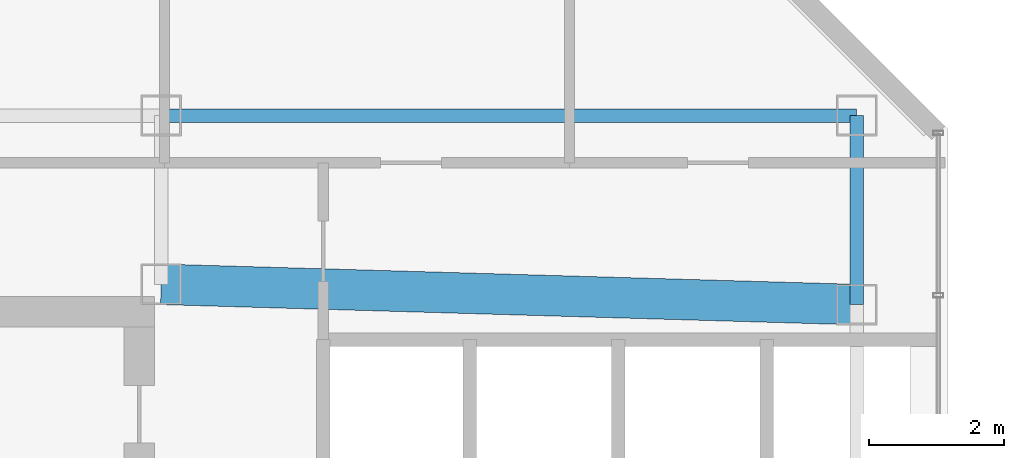
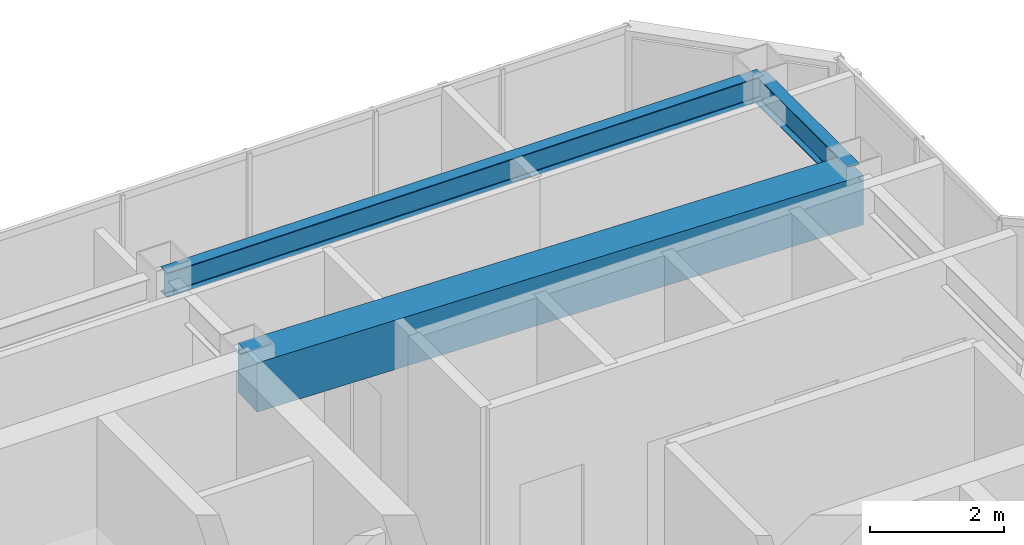
# One storey, part 18 of 30: 3 beams.
"""IFC4 building model written with IfcOpenShell, lengths in metres."""

import ifcopenshell
import ifcopenshell.guid

model = None  # the IFC model being written
_history = None  # IfcOwnerHistory: only IFC2X3 demands one
_inside = {}  # id of a spatial element -> (the spatial element, [elements in it])
_under = {}  # id of a project, library or spatial element -> (it, [spatial elements below it])
_declared = {}  # id of a project -> (the project, [libraries it declares])
_typed = {}  # id of a type object -> (the type object, [elements of that type])
_made_of = {}  # id of a material, layer set ... -> (it, [elements and type objects made of it])


def new_model(schema):
    """Start an empty IFC model of exactly this schema.

    Asked for "IFC4X3", IfcOpenShell would pick the latest addendum, in which some entities
    have other attributes; the version numbers below select the first issue.
    IFC2X3 requires an IfcOwnerHistory on every rooted entity: one is made here for all.
    """
    global model, _history
    if schema == "IFC4X3":
        model = ifcopenshell.file(schema_version=(4, 3, 0, 0))
    else:
        model = ifcopenshell.file(schema=schema)
    _inside.clear()
    _under.clear()
    _declared.clear()
    _typed.clear()
    _made_of.clear()
    _history = None
    if model.schema == "IFC2X3":
        org = make("IfcOrganization", Name="unknown")
        user = make(
            "IfcPersonAndOrganization",
            ThePerson=make("IfcPerson", FamilyName="unknown"),
            TheOrganization=org,
        )
        app = make(
            "IfcApplication",
            ApplicationDeveloper=org,
            Version="unknown",
            ApplicationFullName="unknown",
            ApplicationIdentifier="unknown",
        )
        _history = make(
            "IfcOwnerHistory",
            OwningUser=user,
            OwningApplication=app,
            ChangeAction="ADDED",
            CreationDate=0,
        )
    return model


def make(cls, **values):
    """One entity of the class cls with the attributes given. An attribute that is None is left unset."""
    return model.create_entity(
        cls, **{name: value for name, value in values.items() if value is not None}
    )


def rooted(cls, **values):
    """An entity with a GlobalId (a new one), such as an element, a storey or a relation."""
    return make(cls, GlobalId=ifcopenshell.guid.new(), OwnerHistory=_history, **values)


def si_unit(unit_type, name, prefix=None):
    """IfcSIUnit, for example si_unit("LENGTHUNIT", "METRE", prefix="MILLI")."""
    return make("IfcSIUnit", UnitType=unit_type, Prefix=prefix, Name=name)


def assignment(units):
    """IfcUnitAssignment: the units of a project."""
    return None if units is None else make("IfcUnitAssignment", Units=units)


def point(xyz):
    """IfcCartesianPoint."""
    return None if xyz is None else make("IfcCartesianPoint", Coordinates=xyz)


def direction(xyz):
    """IfcDirection."""
    return None if xyz is None else make("IfcDirection", DirectionRatios=xyz)


def frame(location, z_axis=None, x_axis=None):
    """IfcAxis2Placement3D, a coordinate frame: its origin and axes. An axis left out is left unset."""
    return make(
        "IfcAxis2Placement3D",
        Location=point(location),
        Axis=direction(z_axis),
        RefDirection=direction(x_axis),
    )


def frame_2d(location, x_axis=None):
    """IfcAxis2Placement2D, a coordinate frame in the plane: its origin and x axis."""
    return make(
        "IfcAxis2Placement2D", Location=point(location), RefDirection=direction(x_axis)
    )


def origin():
    """The frame at (0, 0, 0) with its axes left unset."""
    return frame((0.0, 0.0, 0.0))


def origin_2d():
    """The frame at (0, 0) in the plane with its x axis left unset."""
    return frame_2d((0.0, 0.0))


def place(relative_to, where):
    """IfcLocalPlacement: puts the frame where relative to a parent placement (None: the world)."""
    return make(
        "IfcLocalPlacement", PlacementRelTo=relative_to, RelativePlacement=where
    )


def context(
    kind, dimensions, precision=None, world=None, true_north=None, identifier=None
):
    """IfcGeometricRepresentationContext, for example the 3D "Model" context."""
    return make(
        "IfcGeometricRepresentationContext",
        ContextIdentifier=identifier,
        ContextType=kind,
        CoordinateSpaceDimension=dimensions,
        Precision=precision,
        WorldCoordinateSystem=world,
        TrueNorth=true_north,
    )


def subcontext(parent, identifier, kind, view, scale=None):
    """IfcGeometricRepresentationSubContext, for example "Body" below "Model"."""
    return make(
        "IfcGeometricRepresentationSubContext",
        ContextIdentifier=identifier,
        ContextType=kind,
        ParentContext=parent,
        TargetScale=scale,
        TargetView=view,
    )


def project(units=None, contexts=None):
    """IfcProject with its units and contexts."""
    return rooted(
        "IfcProject",
        Name="project",
        RepresentationContexts=contexts,
        UnitsInContext=assignment(units),
    )


def spatial(cls, under=None, at=None, **own):
    """A site, building, storey or space (cls), placed at a placement, below another one or the project."""
    s = rooted(cls, ObjectPlacement=at, **own)
    if under is not None:
        _under.setdefault(under.id(), (under, []))[1].append(s)
    return s


def profile(cls, at=None, kind="AREA", **sizes):
    """A parametric profile (cls). Its sizes go by their IFC names, for example OverallWidth=200.0."""
    return make(cls, ProfileType=kind, Position=at, **sizes)


def rectangle(**sizes):
    """IfcRectangleProfileDef."""
    return profile("IfcRectangleProfileDef", **sizes)


def i_section(**sizes):
    """IfcIShapeProfileDef."""
    return profile("IfcIShapeProfileDef", **sizes)


def extrude(swept, where, along, depth):
    """IfcExtrudedAreaSolid: the profile swept, set in the frame where, extruded along a direction by depth."""
    return make(
        "IfcExtrudedAreaSolid",
        SweptArea=swept,
        Position=where,
        ExtrudedDirection=direction(along),
        Depth=depth,
    )


def shape(context_of_items, identifier, shape_type, items):
    """IfcShapeRepresentation: the items that make up one representation, for example the "Body"."""
    return make(
        "IfcShapeRepresentation",
        ContextOfItems=context_of_items,
        RepresentationIdentifier=identifier,
        RepresentationType=shape_type,
        Items=items,
    )


def material(Name=None, Category=None):
    """IfcMaterial."""
    return make("IfcMaterial", Name=Name, Category=Category)


def material_profile(
    of_material, cross_section, Name=None, Category=None, Priority=None
):
    """IfcMaterialProfile: a cross section and its material."""
    return make(
        "IfcMaterialProfile",
        Name=Name,
        Material=of_material,
        Profile=cross_section,
        Priority=Priority,
        Category=Category,
    )


def profile_set(profiles, Name=None, composite=None):
    """IfcMaterialProfileSet."""
    return make(
        "IfcMaterialProfileSet",
        Name=Name,
        MaterialProfiles=profiles,
        CompositeProfile=composite,
    )


def made_of(thing, what):
    """Note that an element or type object is made of a material, layer set ...; save() writes the relation."""
    if what is not None:
        _made_of.setdefault(what.id(), (what, []))[1].append(thing)
    return thing


def type_object(cls, material=None, **own):
    """A type object (cls), such as IfcWallType, which elements share."""
    return made_of(rooted(cls, **own), material)


def element(
    cls,
    number,
    at=None,
    inside=None,
    cuts=None,
    type_object=None,
    material=None,
    context=None,
    identifier="Body",
    shape_type=None,
    held_by="IfcProductDefinitionShape",
    body=None,
    shapes=None,
    **own,
):
    """One element of the class cls, such as IfcWall. Its Tag is "e" and its number.

    at: its placement. inside: the storey or other place that contains it. cuts: it is an
    opening in that element (IfcRelVoidsElement). A single representation is given by context,
    identifier, shape_type and body (its items); several are given by shapes. held_by: the class
    of the entity that holds the representations. save() writes the other relations.
    """
    e = rooted(cls, Tag="e%d" % number, ObjectPlacement=at, **own)
    if body is not None:
        shapes = [shape(context, identifier, shape_type, body)]
    if shapes is not None:
        e.Representation = make(held_by, Representations=shapes)
    if inside is not None:
        _inside.setdefault(inside.id(), (inside, []))[1].append(e)
    if cuts is not None:
        rooted(
            "IfcRelVoidsElement", RelatingBuildingElement=cuts, RelatedOpeningElement=e
        )
    if type_object is not None:
        _typed.setdefault(type_object.id(), (type_object, []))[1].append(e)
    return made_of(e, material)


def aggregate(whole, parts):
    """IfcRelAggregates: a whole, such as a stair, and the parts it consists of."""
    return rooted("IfcRelAggregates", RelatingObject=whole, RelatedObjects=parts)


def save(model, path):
    """Write the relations noted so far, then the file.

    IfcRelAggregates (storeys below a building ...), IfcRelContainedInSpatialStructure (elements
    in a storey), IfcRelDefinesByType, IfcRelAssociatesMaterial and IfcRelDeclares: one each for
    every whole, place, type object, material and project.
    """
    for whole, parts in _under.values():
        aggregate(whole, parts)
    for where, things in _inside.values():
        rooted(
            "IfcRelContainedInSpatialStructure",
            RelatedElements=things,
            RelatingStructure=where,
        )
    for kind, things in _typed.values():
        rooted("IfcRelDefinesByType", RelatedObjects=things, RelatingType=kind)
    for what, things in _made_of.values():
        rooted("IfcRelAssociatesMaterial", RelatedObjects=things, RelatingMaterial=what)
    for by, libraries in _declared.values():
        rooted("IfcRelDeclares", RelatingContext=by, RelatedDefinitions=libraries)
    model.write(path)


model = new_model("IFC4")

# Units and contexts
model_context = context("Model", 3, precision=1e-05, world=origin(), true_north=direction((0.0, 1.0)))
body_context = subcontext(model_context, "Body", "Model", "MODEL_VIEW")
ifc_project = project(units=[si_unit("LENGTHUNIT", "METRE"), si_unit("AREAUNIT", "SQUARE_METRE"), si_unit("VOLUMEUNIT", "CUBIC_METRE"), si_unit("PLANEANGLEUNIT", "RADIAN"), si_unit("MASSUNIT", "GRAM", prefix="KILO")], contexts=[model_context])

# Site, building, storey
site_placement = place(None, origin())
site = spatial("IfcSite", under=ifc_project, at=site_placement, CompositionType="ELEMENT")
building_placement = place(site_placement, origin())
building = spatial("IfcBuilding", under=site, at=building_placement, Name="Hatsunagi Terrace Concourse", CompositionType="ELEMENT")
storey_placement = place(building_placement, frame((0.0, 0.0, 273.949951171875)))
storey = spatial("IfcBuildingStorey", under=building, at=storey_placement, Name="L72", CompositionType="ELEMENT", Elevation=273.949951171875)

# Beams
ifc_material_1 = material(Name="Concrete Fc42", Category="concrete")
ifc_material_profile_1 = material_profile(ifc_material_1, rectangle(XDim=0.60009765625, YDim=0.89990234375, at=origin_2d()), Name="RC-600x900")
ifc_profile_set_1 = profile_set([ifc_material_profile_1], Name="Concrete Fc42")
beam_type_1 = type_object("IfcBeamType", Name="CoreCouplingBeam_RC_600x900", PredefinedType="BEAM", material=ifc_profile_set_1)
beam_1_placement = place(storey_placement, frame((33.35009765625, 43.300048828125, 3.300048828125), z_axis=(0.999575947545, -0.029119153303, 0.0), x_axis=(0.029119153303, 0.999575947545, 0.0)))
element("IfcBeam", 1, at=beam_1_placement, inside=storey, type_object=beam_type_1, Name="Beam CB-03 CB-L72-2", PredefinedType="BEAM", context=body_context, shape_type="SweptSolid", body=[
    extrude(rectangle(XDim=0.60009765625, YDim=0.89990234375, at=origin_2d()), origin(), (0.0, 0.0, 1.0), 10.30419921875),
])
ifc_material_2 = material(Name="Steel SN490B", Category="steel")
ifc_material_profile_2 = material_profile(ifc_material_2, i_section(OverallWidth=0.199951171875, OverallDepth=0.5, WebThickness=0.010009765625, FlangeThickness=0.01611328125, FilletRadius=0.01611328125, at=origin_2d()), Name="H-500x200x10x16")
ifc_profile_set_2 = profile_set([ifc_material_profile_2], Name="Steel SN490B")
beam_type_2 = type_object("IfcBeamType", Name="CrownFloorGirder_H_500x200", PredefinedType="BEAM", material=ifc_profile_set_2)
beam_2_placement = place(storey_placement, frame((43.64990234375, 43.0, 3.5), z_axis=(0.0, 1.0, 0.0), x_axis=(-1.0, 0.0, 0.0)))
element("IfcBeam", 2, at=beam_2_placement, inside=storey, type_object=beam_type_2, Name="Beam G-07 BM-L72-CN3", PredefinedType="BEAM", context=body_context, shape_type="SweptSolid", body=[
    extrude(i_section(OverallWidth=0.199951171875, OverallDepth=0.5, WebThickness=0.010009765625, FlangeThickness=0.01611328125, FilletRadius=0.01611328125, at=origin_2d()), origin(), (0.0, 0.0, 1.0), 2.800048828125),
])
ifc_material_3 = material(Name="Steel SN490B", Category="steel")
ifc_material_profile_3 = material_profile(ifc_material_3, i_section(OverallWidth=0.199951171875, OverallDepth=0.449951171875, WebThickness=0.009033203125, FlangeThickness=0.013916015625, FilletRadius=0.01611328125, at=origin_2d()), Name="H-450x200x9x14")
ifc_profile_set_3 = profile_set([ifc_material_profile_3], Name="Steel SN490B")
beam_type_3 = type_object("IfcBeamType", Name="PerimeterSpandrel_H_450x200", PredefinedType="SPANDREL", material=ifc_profile_set_3)
beam_3_placement = place(storey_placement, frame((33.35009765625, 45.800048828125, 3.525146484375), z_axis=(1.0, 0.0, 0.0), x_axis=(0.0, 1.0, 0.0)))
element("IfcBeam", 3, at=beam_3_placement, inside=storey, type_object=beam_type_3, Name="Beam SP-02 BM-L72-CNEW2", PredefinedType="SPANDREL", context=body_context, shape_type="SweptSolid", body=[
    extrude(i_section(OverallWidth=0.199951171875, OverallDepth=0.449951171875, WebThickness=0.009033203125, FlangeThickness=0.013916015625, FilletRadius=0.01611328125, at=origin_2d()), origin(), (0.0, 0.0, 1.0), 10.2998046875),
])

save(model, "model.ifc")
